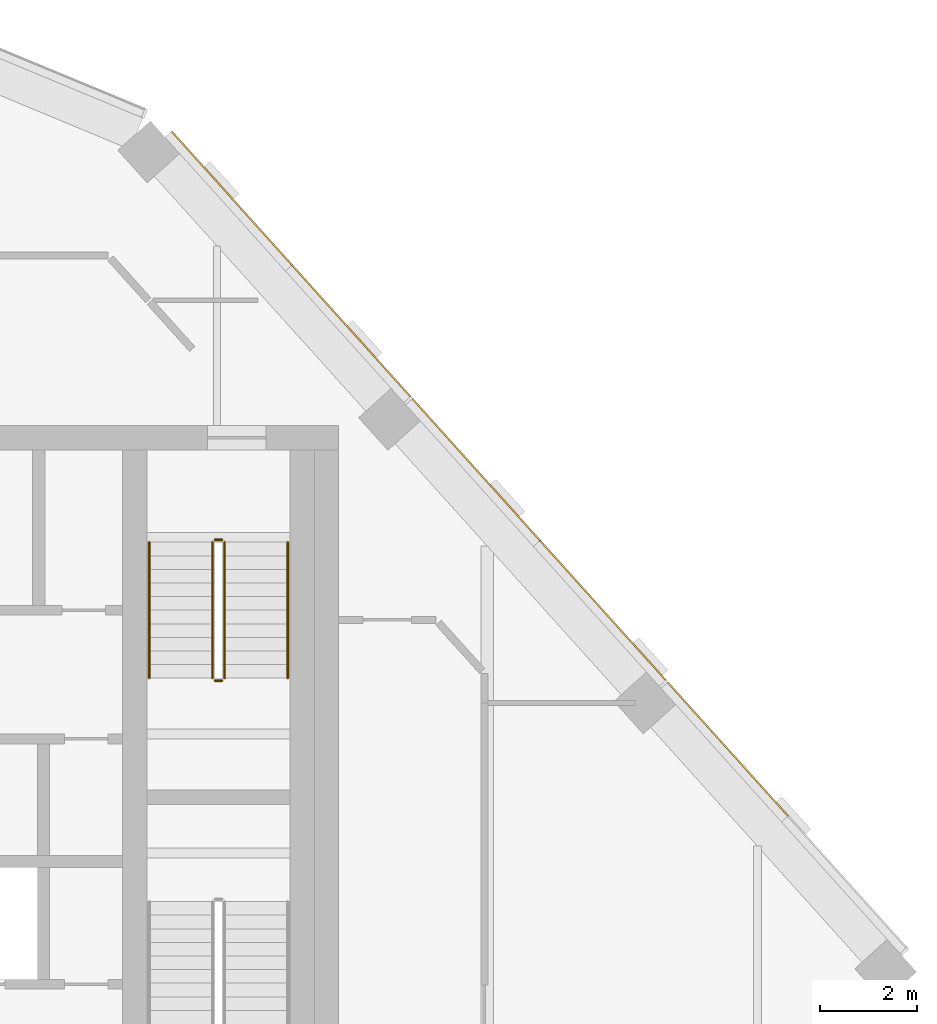
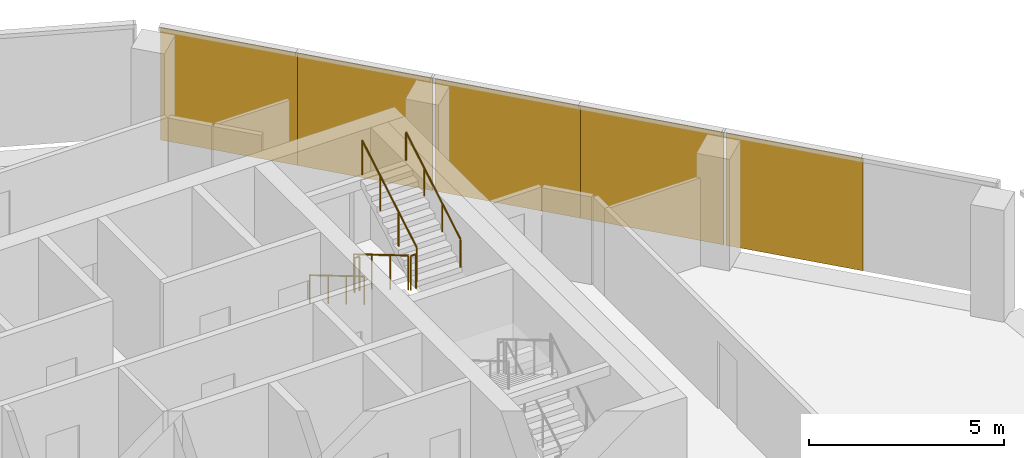
# One storey, part 15 of 15: 6 railings, 5 coverings, 1 element without a shape of its own.
"""IFC4 building model written with IfcOpenShell, lengths in metres."""

from ifc_helpers import new_model, si_unit, direction, frame, origin, origin_2d, place, context, subcontext, project, spatial, rectangle, circle, extrude, material, layer, layer_set, type_object, element, aggregate, save


model = new_model("IFC4")

# Units and contexts
model_context = context("Model", 3, precision=1e-05, world=origin(), true_north=direction((0.0, 1.0)))
body_context = subcontext(model_context, "Body", "Model", "MODEL_VIEW")
ifc_project = project(units=[si_unit("LENGTHUNIT", "METRE"), si_unit("AREAUNIT", "SQUARE_METRE"), si_unit("VOLUMEUNIT", "CUBIC_METRE"), si_unit("PLANEANGLEUNIT", "RADIAN"), si_unit("MASSUNIT", "GRAM", prefix="KILO")], contexts=[model_context])

# Site, building, storey
site_placement = place(None, origin())
site = spatial("IfcSite", under=ifc_project, at=site_placement, CompositionType="ELEMENT")
building_placement = place(site_placement, origin())
building = spatial("IfcBuilding", under=site, at=building_placement, Name="Isthmus Gate Tower", CompositionType="ELEMENT")
storey_placement = place(building_placement, frame((0.0, 0.0, 290.14990234375)))
storey = spatial("IfcBuildingStorey", under=building, at=storey_placement, Name="L74", CompositionType="ELEMENT", Elevation=290.14990234375)

# Curtain wall, coverings
ifc_material_1 = material(Name="Aluminium, pale champagne anodised", Category="aluminium")
ifc_layer_1 = layer(ifc_material_1, 0.199951171875)
ifc_layer_set_1 = layer_set([ifc_layer_1], Name="CW-1 UNITISED CURTAIN WALL 200 DEEP")
curtain_wall_type = type_object("IfcCurtainWallType", Name="CW-1 UNITISED CURTAIN WALL 200 DEEP", PredefinedType="NOTDEFINED", material=ifc_layer_set_1)
curtain_wall_placement = place(storey_placement, origin())
curtain_wall = element("IfcCurtainWall", 1, at=curtain_wall_placement, inside=storey, type_object=curtain_wall_type, Name="CW-1 NE L74", PredefinedType="NOTDEFINED")
ifc_material_2 = material(Name="Aluminium composite panel, pale champagne anodised", Category="aluminium")
ifc_layer_2 = layer(ifc_material_2, 0.031982421875)
ifc_layer_set_2 = layer_set([ifc_layer_2], Name="CW-1 PALE METAL PANEL 32")
covering_type = type_object("IfcCoveringType", Name="CW-1 PALE METAL PANEL 32", PredefinedType="CLADDING", material=ifc_layer_set_2)
covering_1_placement = place(storey_placement, frame((23.012939453125, 8.33837890625, 0.0), z_axis=(0.0, 0.0, 1.0), x_axis=(-0.669130606359, 0.743144825477, 0.0)))
covering_1 = element("IfcCovering", 2, at=covering_1_placement, type_object=covering_type, Name="CW-1 pale metal panel", PredefinedType="CLADDING", context=body_context, shape_type="SweptSolid", body=[
    extrude(rectangle(XDim=3.703369140625, YDim=0.031982421875, at=origin_2d()), origin(), (0.0, 0.0, 1.0), 3.52001953125),
])
covering_2_placement = place(storey_placement, frame((20.439453125, 11.196533203125, 0.0), z_axis=(0.0, 0.0, 1.0), x_axis=(-0.669130606359, 0.743144825477, 0.0)))
covering_2 = element("IfcCovering", 3, at=covering_2_placement, type_object=covering_type, Name="CW-1 pale metal panel", PredefinedType="CLADDING", context=body_context, shape_type="SweptSolid", body=[
    extrude(rectangle(XDim=3.868408203125, YDim=0.031982421875, at=origin_2d()), origin(), (0.0, 0.0, 1.0), 3.52001953125),
])
covering_3_placement = place(storey_placement, frame((17.8310546875, 14.093505859375, 0.0), z_axis=(0.0, 0.0, 1.0), x_axis=(-0.669130606359, 0.743144825477, 0.0)))
covering_3 = element("IfcCovering", 4, at=covering_3_placement, type_object=covering_type, Name="CW-1 pale metal panel", PredefinedType="CLADDING", context=body_context, shape_type="SweptSolid", body=[
    extrude(rectangle(XDim=3.928466796875, YDim=0.031982421875, at=origin_2d()), origin(), (0.0, 0.0, 1.0), 3.52001953125),
])
covering_4_placement = place(storey_placement, frame((15.257568359375, 16.95166015625, 0.0), z_axis=(0.0, 0.0, 1.0), x_axis=(-0.669130606359, 0.743144825477, 0.0)))
covering_4 = element("IfcCovering", 5, at=covering_4_placement, type_object=covering_type, Name="CW-1 pale metal panel", PredefinedType="CLADDING", context=body_context, shape_type="SweptSolid", body=[
    extrude(rectangle(XDim=3.643310546875, YDim=0.031982421875, at=origin_2d()), origin(), (0.0, 0.0, 1.0), 3.52001953125),
])
covering_5_placement = place(storey_placement, frame((12.799560546875, 19.681396484375, 0.0), z_axis=(0.0, 0.0, 1.0), x_axis=(-0.669130606359, 0.743144825477, 0.0)))
covering_5 = element("IfcCovering", 6, at=covering_5_placement, type_object=covering_type, Name="CW-1 pale metal panel", PredefinedType="CLADDING", context=body_context, shape_type="SweptSolid", body=[
    extrude(rectangle(XDim=3.703369140625, YDim=0.031982421875, at=origin_2d()), origin(), (0.0, 0.0, 1.0), 3.52001953125),
])
aggregate(curtain_wall, [covering_1, covering_2, covering_3, covering_4, covering_5])

# Railings
ifc_material_3 = material(Name="Stainless steel balustrade", Category="steel")
railing_type_1 = type_object("IfcRailingType", Name="STAIR GUARD 1100", PredefinedType="GUARDRAIL", material=ifc_material_3)
railing_1_placement = place(storey_placement, frame((12.39990234375, 12.60009765625, 0.166015625)))
element("IfcRailing", 7, at=railing_1_placement, inside=storey, type_object=railing_type_1, Name="L74 ST2 stair guard 1", PredefinedType="GUARDRAIL", context=body_context, shape_type="SweptSolid", body=[
    extrude(circle(Radius=0.02392578125, at=origin_2d()), frame((0.0, 0.0, 1.076171875), z_axis=(0.0, -0.860306154799, 0.50977771628), x_axis=(1.0, 0.0, 0.0)), (0.0, 0.0, 1.0), 3.254638671875),
    extrude(circle(Radius=0.02099609375, at=origin_2d()), origin(), (0.0, 0.0, 1.0), 1.052001953125),
    extrude(circle(Radius=0.02099609375, at=origin_2d()), frame((0.0, -0.933349609375, 0.552978515625)), (0.0, 0.0, 1.0), 1.052001953125),
    extrude(circle(Radius=0.02099609375, at=origin_2d()), frame((0.0, -1.86669921875, 1.106201171875)), (0.0, 0.0, 1.0), 1.052001953125),
    extrude(circle(Radius=0.02099609375, at=origin_2d()), frame((0.0, -2.800048828125, 1.6591796875)), (0.0, 0.0, 1.0), 1.052001953125),
])
railing_2_placement = place(storey_placement, frame((12.449951171875, 9.75, 1.8251953125)))
element("IfcRailing", 8, at=railing_2_placement, inside=storey, type_object=railing_type_1, Name="L74 ST2 stair guard 2", PredefinedType="GUARDRAIL", context=body_context, shape_type="SweptSolid", body=[
    extrude(circle(Radius=0.02392578125, at=origin_2d()), frame((0.0, 0.0, 1.076171875), z_axis=(1.0, 0.0, 0.0), x_axis=(0.0, 1.0, 0.0)), (0.0, 0.0, 1.0), 0.150146484375),
    extrude(circle(Radius=0.02099609375, at=origin_2d()), origin(), (0.0, 0.0, 1.0), 1.052001953125),
    extrude(circle(Radius=0.02099609375, at=origin_2d()), frame((0.150146484375, 0.0, 0.0)), (0.0, 0.0, 1.0), 1.052001953125),
])
railing_3_placement = place(storey_placement, frame((12.64990234375, 9.800048828125, 1.990966796875)))
element("IfcRailing", 9, at=railing_3_placement, inside=storey, type_object=railing_type_1, Name="L74 ST2 stair guard 3", PredefinedType="GUARDRAIL", context=body_context, shape_type="SweptSolid", body=[
    extrude(circle(Radius=0.02392578125, at=origin_2d()), frame((0.0, 0.0, 1.076171875), z_axis=(0.0, 0.860306154799, 0.50977771628), x_axis=(-1.0, 0.0, 0.0)), (0.0, 0.0, 1.0), 3.254638671875),
    extrude(circle(Radius=0.02099609375, at=origin_2d()), origin(), (0.0, 0.0, 1.0), 1.052001953125),
    extrude(circle(Radius=0.02099609375, at=origin_2d()), frame((0.0, 0.933349609375, 0.552978515625)), (0.0, 0.0, 1.0), 1.052001953125),
    extrude(circle(Radius=0.02099609375, at=origin_2d()), frame((0.0, 1.86669921875, 1.106201171875)), (0.0, 0.0, 1.0), 1.052001953125),
    extrude(circle(Radius=0.02099609375, at=origin_2d()), frame((0.0, 2.800048828125, 1.6591796875)), (0.0, 0.0, 1.0), 1.052001953125),
])
railing_4_placement = place(storey_placement, frame((12.449951171875, 12.64990234375, 0.0)))
element("IfcRailing", 10, at=railing_4_placement, inside=storey, type_object=railing_type_1, Name="L74 ST2 stair guard 4", PredefinedType="GUARDRAIL", context=body_context, shape_type="SweptSolid", body=[
    extrude(circle(Radius=0.02392578125, at=origin_2d()), frame((0.0, 0.0, 1.076171875), z_axis=(1.0, 0.0, 0.0), x_axis=(0.0, 1.0, 0.0)), (0.0, 0.0, 1.0), 0.150146484375),
    extrude(circle(Radius=0.02099609375, at=origin_2d()), origin(), (0.0, 0.0, 1.0), 1.052001953125),
    extrude(circle(Radius=0.02099609375, at=origin_2d()), frame((0.150146484375, 0.0, 0.0)), (0.0, 0.0, 1.0), 1.052001953125),
])
ifc_material_4 = material(Name="Stainless steel handrail", Category="steel")
railing_type_2 = type_object("IfcRailingType", Name="STAIR HANDRAIL 900", PredefinedType="HANDRAIL", material=ifc_material_4)
railing_5_placement = place(storey_placement, frame((11.10009765625, 12.60009765625, 0.166015625)))
element("IfcRailing", 11, at=railing_5_placement, inside=storey, type_object=railing_type_2, Name="L74 ST2 stair handrail 1", PredefinedType="HANDRAIL", context=body_context, shape_type="SweptSolid", body=[
    extrude(circle(Radius=0.02392578125, at=origin_2d()), frame((0.0, 0.0, 0.8759765625), z_axis=(0.0, -0.860306154799, 0.50977771628), x_axis=(1.0, 0.0, 0.0)), (0.0, 0.0, 1.0), 3.254638671875),
    extrude(circle(Radius=0.02099609375, at=origin_2d()), origin(), (0.0, 0.0, 1.0), 0.851806640625),
    extrude(circle(Radius=0.02099609375, at=origin_2d()), frame((0.0, -0.933349609375, 0.552978515625)), (0.0, 0.0, 1.0), 0.851806640625),
    extrude(circle(Radius=0.02099609375, at=origin_2d()), frame((0.0, -1.86669921875, 1.106201171875)), (0.0, 0.0, 1.0), 0.851806640625),
    extrude(circle(Radius=0.02099609375, at=origin_2d()), frame((0.0, -2.800048828125, 1.6591796875)), (0.0, 0.0, 1.0), 0.851806640625),
])
railing_6_placement = place(storey_placement, frame((13.949951171875, 9.800048828125, 1.990966796875)))
element("IfcRailing", 12, at=railing_6_placement, inside=storey, type_object=railing_type_2, Name="L74 ST2 stair handrail 2", PredefinedType="HANDRAIL", context=body_context, shape_type="SweptSolid", body=[
    extrude(circle(Radius=0.02392578125, at=origin_2d()), frame((0.0, 0.0, 0.8759765625), z_axis=(0.0, 0.860306154799, 0.50977771628), x_axis=(-1.0, 0.0, 0.0)), (0.0, 0.0, 1.0), 3.254638671875),
    extrude(circle(Radius=0.02099609375, at=origin_2d()), origin(), (0.0, 0.0, 1.0), 0.851806640625),
    extrude(circle(Radius=0.02099609375, at=origin_2d()), frame((0.0, 0.933349609375, 0.552978515625)), (0.0, 0.0, 1.0), 0.851806640625),
    extrude(circle(Radius=0.02099609375, at=origin_2d()), frame((0.0, 1.86669921875, 1.106201171875)), (0.0, 0.0, 1.0), 0.851806640625),
    extrude(circle(Radius=0.02099609375, at=origin_2d()), frame((0.0, 2.800048828125, 1.6591796875)), (0.0, 0.0, 1.0), 0.851806640625),
])

save(model, "model.ifc")
